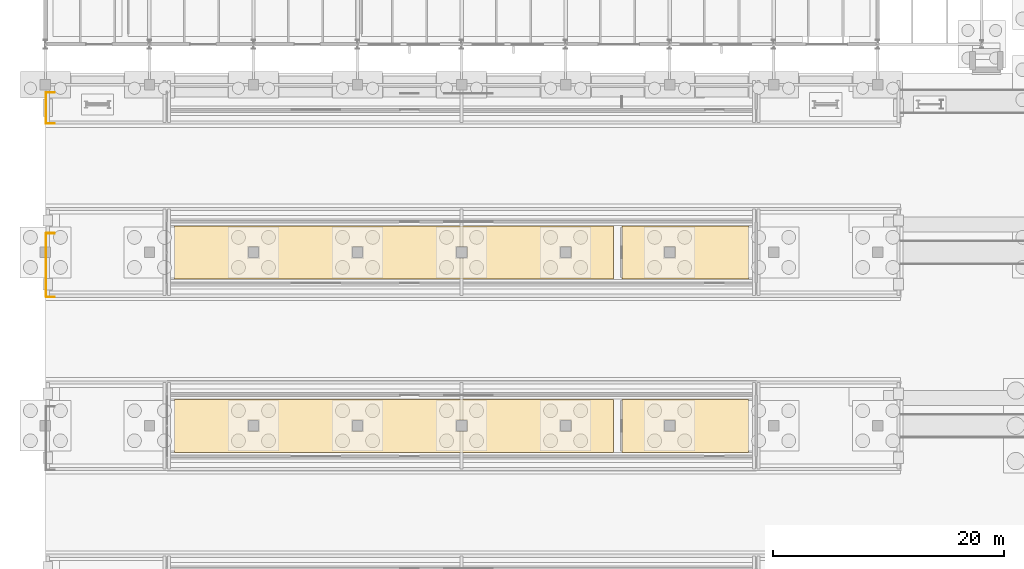
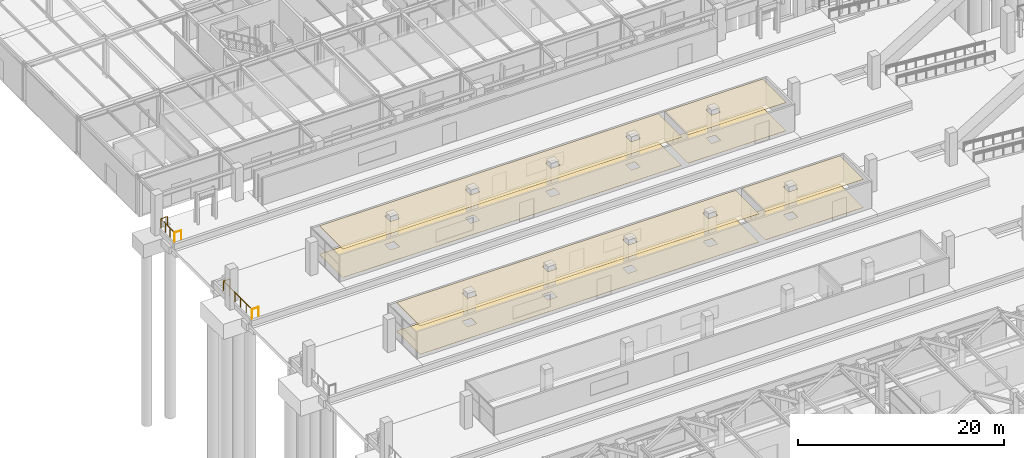
# One storey, part 154 of 160: 8 coverings, 4 railings.
"""IFC4 building model written with IfcOpenShell, lengths in metres."""

from ifc_helpers import new_model, si_unit, direction, frame, origin, origin_2d, place, context, subcontext, project, spatial, polyline, circle, outline, extrude, material, layer, layer_set, type_object, element, save


model = new_model("IFC4")

# Units and contexts
model_context = context("Model", 3, precision=1e-05, world=origin(), true_north=direction((0.0, 1.0)))
body_context = subcontext(model_context, "Body", "Model", "MODEL_VIEW")
ifc_project = project(units=[si_unit("LENGTHUNIT", "METRE"), si_unit("AREAUNIT", "SQUARE_METRE"), si_unit("VOLUMEUNIT", "CUBIC_METRE"), si_unit("PLANEANGLEUNIT", "RADIAN"), si_unit("MASSUNIT", "GRAM", prefix="KILO")], contexts=[model_context])

# Site, building, storey
site_placement = place(None, origin())
site = spatial("IfcSite", under=ifc_project, at=site_placement, CompositionType="ELEMENT")
building_placement = place(site_placement, origin())
building = spatial("IfcBuilding", under=site, at=building_placement, Name="Marlcrest Central Station", CompositionType="ELEMENT")
storey_placement = place(building_placement, origin())
storey = spatial("IfcBuildingStorey", under=building, at=storey_placement, Name="L00", CompositionType="ELEMENT", Elevation=0.0)

# Coverings
ifc_material_1 = material(Name="Perforated acoustic mineral-fibre ceiling")
ifc_layer_1 = layer(ifc_material_1, 0.02490234375, Name="CV-CLG")
ifc_layer_set_1 = layer_set([ifc_layer_1], Name="Perforated acoustic mineral-fibre ceiling")
covering_type_1 = type_object("IfcCoveringType", Name="CV-CLG", PredefinedType="CEILING", material=ifc_layer_set_1)
covering_1_placement = place(storey_placement, frame((0.0, 0.0, 4.27490234375)))
element("IfcCovering", 1, at=covering_1_placement, inside=storey, type_object=covering_type_1, Name="cov-clg-0014", PredefinedType="CEILING", context=body_context, shape_type="SweptSolid", body=[
    extrude(outline(polyline([(49.139892578125, 63.7099609375), (11.159912109375, 63.7099609375), (11.159912109375, 68.2900390625), (49.139892578125, 68.2900390625), (49.139892578125, 63.7099609375)]), holes=[polyline([(18.510009765625, 65.489990234375), (18.510009765625, 66.510009765625), (17.489990234375, 66.510009765625), (17.489990234375, 65.489990234375), (18.510009765625, 65.489990234375)]), polyline([(26.489990234375, 65.489990234375), (27.510009765625, 65.489990234375), (27.510009765625, 66.510009765625), (26.489990234375, 66.510009765625), (26.489990234375, 65.489990234375)]), polyline([(35.489990234375, 66.510009765625), (35.489990234375, 65.489990234375), (36.510009765625, 65.489990234375), (36.510009765625, 66.510009765625), (35.489990234375, 66.510009765625)]), polyline([(45.510009765625, 66.510009765625), (44.489990234375, 66.510009765625), (44.489990234375, 65.489990234375), (45.510009765625, 65.489990234375), (45.510009765625, 66.510009765625)])]), origin(), (0.0, 0.0, 1.0), 0.025146484375),
])
covering_2_placement = place(storey_placement, frame((0.0, 0.0, 4.27490234375)))
element("IfcCovering", 2, at=covering_2_placement, inside=storey, type_object=covering_type_1, Name="cov-clg-0016", PredefinedType="CEILING", context=body_context, shape_type="SweptSolid", body=[
    extrude(outline(polyline([(49.860107421875, 63.7099609375), (49.860107421875, 68.2900390625), (60.840087890625, 68.2900390625), (60.840087890625, 63.7099609375), (49.860107421875, 63.7099609375)]), holes=[polyline([(54.510009765625, 66.510009765625), (53.489990234375, 66.510009765625), (53.489990234375, 65.489990234375), (54.510009765625, 65.489990234375), (54.510009765625, 66.510009765625)])]), origin(), (0.0, 0.0, 1.0), 0.025146484375),
])
covering_3_placement = place(storey_placement, frame((0.0, 0.0, 4.27490234375)))
element("IfcCovering", 3, at=covering_3_placement, inside=storey, type_object=covering_type_1, Name="cov-clg-0022", PredefinedType="CEILING", context=body_context, shape_type="SweptSolid", body=[
    extrude(outline(polyline([(49.139892578125, 78.7099609375), (11.159912109375, 78.7099609375), (11.159912109375, 83.2900390625), (49.139892578125, 83.2900390625), (49.139892578125, 78.7099609375)]), holes=[polyline([(18.510009765625, 80.489990234375), (18.510009765625, 81.510009765625), (17.489990234375, 81.510009765625), (17.489990234375, 80.489990234375), (18.510009765625, 80.489990234375)]), polyline([(26.489990234375, 80.489990234375), (27.510009765625, 80.489990234375), (27.510009765625, 81.510009765625), (26.489990234375, 81.510009765625), (26.489990234375, 80.489990234375)]), polyline([(35.489990234375, 81.510009765625), (35.489990234375, 80.489990234375), (36.510009765625, 80.489990234375), (36.510009765625, 81.510009765625), (35.489990234375, 81.510009765625)]), polyline([(45.510009765625, 81.510009765625), (44.489990234375, 81.510009765625), (44.489990234375, 80.489990234375), (45.510009765625, 80.489990234375), (45.510009765625, 81.510009765625)])]), origin(), (0.0, 0.0, 1.0), 0.025146484375),
])
covering_4_placement = place(storey_placement, frame((0.0, 0.0, 4.27490234375)))
element("IfcCovering", 4, at=covering_4_placement, inside=storey, type_object=covering_type_1, Name="cov-clg-0024", PredefinedType="CEILING", context=body_context, shape_type="SweptSolid", body=[
    extrude(outline(polyline([(49.860107421875, 78.7099609375), (49.860107421875, 83.2900390625), (60.840087890625, 83.2900390625), (60.840087890625, 78.7099609375), (49.860107421875, 78.7099609375)]), holes=[polyline([(54.510009765625, 81.510009765625), (53.489990234375, 81.510009765625), (53.489990234375, 80.489990234375), (54.510009765625, 80.489990234375), (54.510009765625, 81.510009765625)])]), origin(), (0.0, 0.0, 1.0), 0.025146484375),
])
ifc_material_2 = material(Name="Polished terrazzo and tactile transit flooring")
ifc_layer_2 = layer(ifc_material_2, 0.030029296875, Name="CV-FLR")
ifc_layer_set_2 = layer_set([ifc_layer_2], Name="Polished terrazzo and tactile transit flooring")
covering_type_2 = type_object("IfcCoveringType", Name="CV-FLR", PredefinedType="FLOORING", material=ifc_layer_set_2)
covering_5_placement = place(storey_placement, frame((0.0, 0.0, 0.9150390625)))
element("IfcCovering", 5, at=covering_5_placement, inside=storey, type_object=covering_type_2, Name="cov-flr-0015", PredefinedType="FLOORING", context=body_context, shape_type="SweptSolid", body=[
    extrude(outline(polyline([(49.139892578125, 63.7099609375), (11.159912109375, 63.7099609375), (11.159912109375, 68.2900390625), (49.139892578125, 68.2900390625), (49.139892578125, 63.7099609375)]), holes=[polyline([(18.510009765625, 65.489990234375), (18.510009765625, 66.510009765625), (17.489990234375, 66.510009765625), (17.489990234375, 65.489990234375), (18.510009765625, 65.489990234375)]), polyline([(26.489990234375, 65.489990234375), (27.510009765625, 65.489990234375), (27.510009765625, 66.510009765625), (26.489990234375, 66.510009765625), (26.489990234375, 65.489990234375)]), polyline([(35.489990234375, 66.510009765625), (35.489990234375, 65.489990234375), (36.510009765625, 65.489990234375), (36.510009765625, 66.510009765625), (35.489990234375, 66.510009765625)]), polyline([(45.510009765625, 66.510009765625), (44.489990234375, 66.510009765625), (44.489990234375, 65.489990234375), (45.510009765625, 65.489990234375), (45.510009765625, 66.510009765625)])]), origin(), (0.0, 0.0, 1.0), 0.030029296875),
])
covering_6_placement = place(storey_placement, frame((0.0, 0.0, 0.9150390625)))
element("IfcCovering", 6, at=covering_6_placement, inside=storey, type_object=covering_type_2, Name="cov-flr-0017", PredefinedType="FLOORING", context=body_context, shape_type="SweptSolid", body=[
    extrude(outline(polyline([(49.860107421875, 63.7099609375), (49.860107421875, 68.2900390625), (60.840087890625, 68.2900390625), (60.840087890625, 63.7099609375), (49.860107421875, 63.7099609375)]), holes=[polyline([(54.510009765625, 66.510009765625), (53.489990234375, 66.510009765625), (53.489990234375, 65.489990234375), (54.510009765625, 65.489990234375), (54.510009765625, 66.510009765625)])]), origin(), (0.0, 0.0, 1.0), 0.030029296875),
])
covering_7_placement = place(storey_placement, frame((0.0, 0.0, 0.9150390625)))
element("IfcCovering", 7, at=covering_7_placement, inside=storey, type_object=covering_type_2, Name="cov-flr-0023", PredefinedType="FLOORING", context=body_context, shape_type="SweptSolid", body=[
    extrude(outline(polyline([(49.139892578125, 78.7099609375), (11.159912109375, 78.7099609375), (11.159912109375, 83.2900390625), (49.139892578125, 83.2900390625), (49.139892578125, 78.7099609375)]), holes=[polyline([(18.510009765625, 80.489990234375), (18.510009765625, 81.510009765625), (17.489990234375, 81.510009765625), (17.489990234375, 80.489990234375), (18.510009765625, 80.489990234375)]), polyline([(26.489990234375, 80.489990234375), (27.510009765625, 80.489990234375), (27.510009765625, 81.510009765625), (26.489990234375, 81.510009765625), (26.489990234375, 80.489990234375)]), polyline([(35.489990234375, 81.510009765625), (35.489990234375, 80.489990234375), (36.510009765625, 80.489990234375), (36.510009765625, 81.510009765625), (35.489990234375, 81.510009765625)]), polyline([(45.510009765625, 81.510009765625), (44.489990234375, 81.510009765625), (44.489990234375, 80.489990234375), (45.510009765625, 80.489990234375), (45.510009765625, 81.510009765625)])]), origin(), (0.0, 0.0, 1.0), 0.030029296875),
])
covering_8_placement = place(storey_placement, frame((0.0, 0.0, 0.9150390625)))
element("IfcCovering", 8, at=covering_8_placement, inside=storey, type_object=covering_type_2, Name="cov-flr-0025", PredefinedType="FLOORING", context=body_context, shape_type="SweptSolid", body=[
    extrude(outline(polyline([(49.860107421875, 78.7099609375), (49.860107421875, 83.2900390625), (60.840087890625, 83.2900390625), (60.840087890625, 78.7099609375), (49.860107421875, 78.7099609375)]), holes=[polyline([(54.510009765625, 81.510009765625), (53.489990234375, 81.510009765625), (53.489990234375, 80.489990234375), (54.510009765625, 80.489990234375), (54.510009765625, 81.510009765625)])]), origin(), (0.0, 0.0, 1.0), 0.030029296875),
])

# Railings
ifc_material_3 = material(Name="Stainless steel and laminated glass concourse balustrade", Category="steel")
railing_type = type_object("IfcRailingType", Name="GR-02", PredefinedType="BALUSTRADE", material=ifc_material_3)
railing_1_placement = place(storey_placement, frame((0.06005859375, 77.159912109375, 0.9150390625)))
element("IfcRailing", 9, at=railing_1_placement, inside=storey, type_object=railing_type, Name="hr-L00-00383", PredefinedType="BALUSTRADE", context=body_context, shape_type="SweptSolid", body=[
    extrude(circle(Radius=0.02392578125, at=origin_2d()), frame((0.0, 0.0, 1.09619140625), z_axis=(0.0, 1.0, 0.0), x_axis=(-1.0, 0.0, 0.0)), (0.0, 0.0, 1.0), 5.49609375),
    extrude(circle(Radius=0.02392578125, at=origin_2d()), frame((0.0, 5.49609375, 1.09619140625), z_axis=(1.0, 0.0, 0.0), x_axis=(0.0, 1.0, 0.0)), (0.0, 0.0, 1.0), 0.739990234375),
    extrude(circle(Radius=0.02099609375, at=origin_2d()), origin(), (0.0, 0.0, 1.0), 1.072021484375),
    extrude(circle(Radius=0.02099609375, at=origin_2d()), frame((0.0, 1.09912109375, 0.0)), (0.0, 0.0, 1.0), 1.072021484375),
    extrude(circle(Radius=0.02099609375, at=origin_2d()), frame((0.0, 2.198486328125, 0.0)), (0.0, 0.0, 1.0), 1.072021484375),
    extrude(circle(Radius=0.02099609375, at=origin_2d()), frame((0.0, 3.297607421875, 0.0)), (0.0, 0.0, 1.0), 1.072021484375),
    extrude(circle(Radius=0.02099609375, at=origin_2d()), frame((0.0, 4.39697265625, 0.0)), (0.0, 0.0, 1.0), 1.072021484375),
    extrude(circle(Radius=0.02099609375, at=origin_2d()), frame((0.0, 5.49609375, 0.0)), (0.0, 0.0, 1.0), 1.072021484375),
    extrude(circle(Radius=0.02099609375, at=origin_2d()), frame((0.739990234375, 5.49609375, 0.0)), (0.0, 0.0, 1.0), 1.072021484375),
])
railing_2_placement = place(storey_placement, frame((0.800048828125, 77.159912109375, 0.9150390625)))
element("IfcRailing", 10, at=railing_2_placement, inside=storey, type_object=railing_type, Name="hr-L00-00384", PredefinedType="BALUSTRADE", context=body_context, shape_type="SweptSolid", body=[
    extrude(circle(Radius=0.02392578125, at=origin_2d()), frame((0.0, 0.0, 1.09619140625), z_axis=(-1.0, 0.0, 0.0), x_axis=(0.0, -1.0, 0.0)), (0.0, 0.0, 1.0), 0.739990234375),
    extrude(circle(Radius=0.02099609375, at=origin_2d()), origin(), (0.0, 0.0, 1.0), 1.072021484375),
    extrude(circle(Radius=0.02099609375, at=origin_2d()), frame((-0.739990234375, 0.0, 0.0)), (0.0, 0.0, 1.0), 1.072021484375),
])
railing_3_placement = place(storey_placement, frame((0.06005859375, 92.159912109375, 0.9150390625)))
element("IfcRailing", 11, at=railing_3_placement, inside=storey, type_object=railing_type, Name="hr-L00-00386", PredefinedType="BALUSTRADE", context=body_context, shape_type="SweptSolid", body=[
    extrude(circle(Radius=0.02392578125, at=origin_2d()), frame((0.0, 0.0, 1.09619140625), z_axis=(0.0, 1.0, 0.0), x_axis=(-1.0, 0.0, 0.0)), (0.0, 0.0, 1.0), 2.68798828125),
    extrude(circle(Radius=0.02392578125, at=origin_2d()), frame((0.0, 2.68798828125, 1.09619140625), z_axis=(1.0, 0.0, 0.0), x_axis=(0.0, 1.0, 0.0)), (0.0, 0.0, 1.0), 0.739990234375),
    extrude(circle(Radius=0.02099609375, at=origin_2d()), origin(), (0.0, 0.0, 1.0), 1.072021484375),
    extrude(circle(Radius=0.02099609375, at=origin_2d()), frame((0.0, 0.89599609375, 0.0)), (0.0, 0.0, 1.0), 1.072021484375),
    extrude(circle(Radius=0.02099609375, at=origin_2d()), frame((0.0, 1.7919921875, 0.0)), (0.0, 0.0, 1.0), 1.072021484375),
    extrude(circle(Radius=0.02099609375, at=origin_2d()), frame((0.0, 2.68798828125, 0.0)), (0.0, 0.0, 1.0), 1.072021484375),
    extrude(circle(Radius=0.02099609375, at=origin_2d()), frame((0.739990234375, 2.68798828125, 0.0)), (0.0, 0.0, 1.0), 1.072021484375),
])
railing_4_placement = place(storey_placement, frame((0.800048828125, 92.159912109375, 0.9150390625)))
element("IfcRailing", 12, at=railing_4_placement, inside=storey, type_object=railing_type, Name="hr-L00-00387", PredefinedType="BALUSTRADE", context=body_context, shape_type="SweptSolid", body=[
    extrude(circle(Radius=0.02392578125, at=origin_2d()), frame((0.0, 0.0, 1.09619140625), z_axis=(-1.0, 0.0, 0.0), x_axis=(0.0, -1.0, 0.0)), (0.0, 0.0, 1.0), 0.739990234375),
    extrude(circle(Radius=0.02099609375, at=origin_2d()), origin(), (0.0, 0.0, 1.0), 1.072021484375),
    extrude(circle(Radius=0.02099609375, at=origin_2d()), frame((-0.739990234375, 0.0, 0.0)), (0.0, 0.0, 1.0), 1.072021484375),
])

save(model, "model.ifc")
